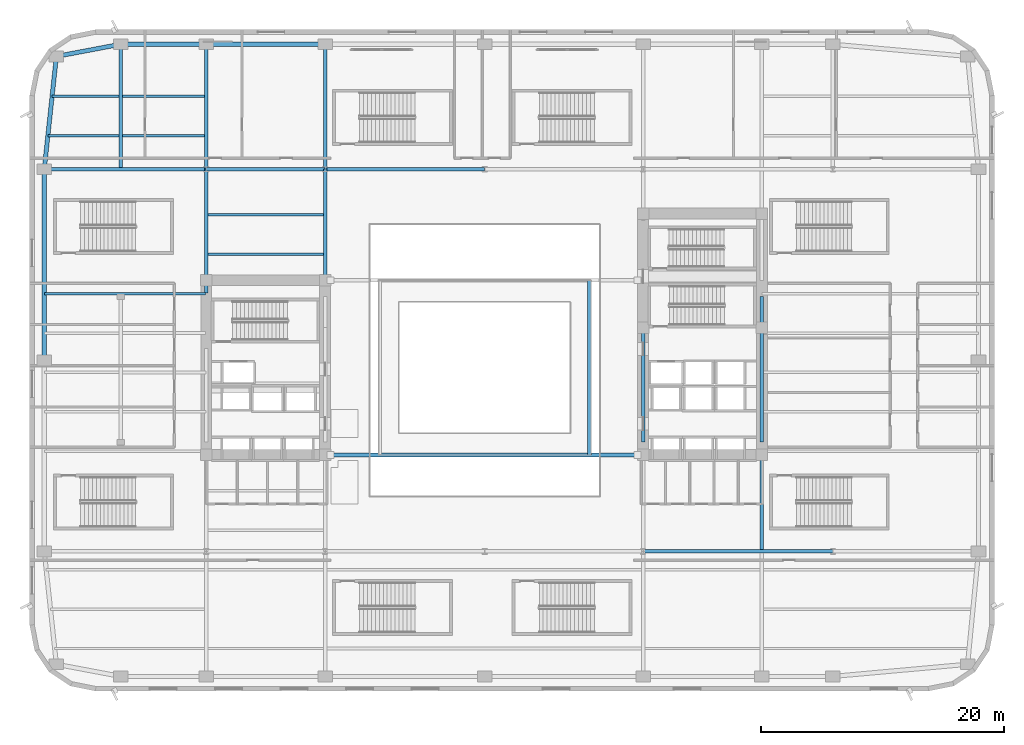
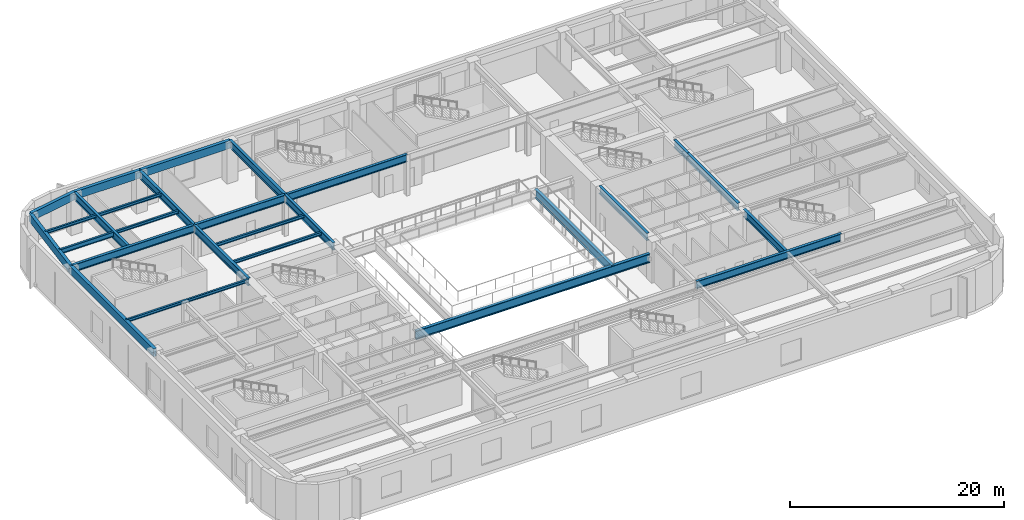
# One storey, part 2 of 21: 27 beams.
"""IFC4 building model written with IfcOpenShell, lengths in metres."""

from ifc_helpers import new_model, si_unit, direction, frame, origin, origin_2d, place, context, subcontext, project, spatial, hollow_rectangle, i_section, extrude, material, material_profile, profile_set, type_object, element, save


model = new_model("IFC4")

# Units and contexts
model_context = context("Model", 3, precision=1e-05, world=origin(), true_north=direction((0.0, 1.0)))
body_context = subcontext(model_context, "Body", "Model", "MODEL_VIEW")
ifc_project = project(units=[si_unit("LENGTHUNIT", "METRE"), si_unit("AREAUNIT", "SQUARE_METRE"), si_unit("VOLUMEUNIT", "CUBIC_METRE"), si_unit("PLANEANGLEUNIT", "RADIAN"), si_unit("MASSUNIT", "GRAM", prefix="KILO")], contexts=[model_context])

# Site, building, storey
site_placement = place(None, origin())
site = spatial("IfcSite", under=ifc_project, at=site_placement, CompositionType="ELEMENT")
building_placement = place(site_placement, origin())
building = spatial("IfcBuilding", under=site, at=building_placement, Name="Kolvaren Arena Tower", CompositionType="ELEMENT")
storey_placement = place(building_placement, frame((0.0, 0.0, 18.0)))
storey = spatial("IfcBuildingStorey", under=building, at=storey_placement, Name="L03", CompositionType="ELEMENT", Elevation=18.0)

# Beams
ifc_material_1 = material(Name="Steel CSA G40.21 350W", Category="steel")
ifc_material_profile_1 = material_profile(ifc_material_1, i_section(OverallWidth=0.2119140625, OverallDepth=0.54296875, WebThickness=0.01318359375, FlangeThickness=0.0244140625, FilletRadius=0.013916015625, at=origin_2d()), Name="W530x150")
ifc_profile_set_1 = profile_set([ifc_material_profile_1], Name="Steel CSA G40.21 350W")
beam_type_1 = type_object("IfcBeamType", Name="BEAM-F1", PredefinedType="BEAM", material=ifc_profile_set_1)
beam_1_placement = place(storey_placement, frame((1.49560546875, 45.75, 4.37841796875), z_axis=(1.0, 0.0, 0.0), x_axis=(0.0, 1.0, 0.0)))
element("IfcBeam", 1, at=beam_1_placement, inside=storey, type_object=beam_type_1, Name="Composite Floor Beam (L03)", PredefinedType="BEAM", context=body_context, shape_type="SweptSolid", body=[
    extrude(i_section(OverallWidth=0.2119140625, OverallDepth=0.54296875, WebThickness=0.01318359375, FlangeThickness=0.0244140625, FilletRadius=0.013916015625, at=origin_2d()), origin(), (0.0, 0.0, 1.0), 5.8583984375),
])
ifc_material_profile_2 = material_profile(ifc_material_1, i_section(OverallWidth=0.2919921875, OverallDepth=0.85498046875, WebThickness=0.02099609375, FlangeThickness=0.03564453125, FilletRadius=0.01806640625, at=origin_2d()), Name="W840x299")
ifc_profile_set_2 = profile_set([ifc_material_profile_2], Name="Steel CSA G40.21 350W")
beam_type_2 = type_object("IfcBeamType", Name="GIRD-P1", PredefinedType="BEAM", material=ifc_profile_set_2)
beam_2_placement = place(storey_placement, frame((50.550048828125, 11.5, 4.222412109375), z_axis=(1.0, 0.0, 0.0), x_axis=(0.0, 1.0, 0.0)))
element("IfcBeam", 2, at=beam_2_placement, inside=storey, type_object=beam_type_2, Name="Primary Floor Girder (L03)", PredefinedType="BEAM", context=body_context, shape_type="SweptSolid", body=[
    extrude(i_section(OverallWidth=0.2919921875, OverallDepth=0.85498046875, WebThickness=0.02099609375, FlangeThickness=0.03564453125, FilletRadius=0.01806640625, at=origin_2d()), origin(), (0.0, 0.0, 1.0), 15.64990234375),
])
beam_3_placement = place(storey_placement, frame((1.199951171875, 43.0, 4.222412109375), z_axis=(1.0, 0.0, 0.0), x_axis=(0.0, 1.0, 0.0)))
element("IfcBeam", 3, at=beam_3_placement, inside=storey, type_object=beam_type_2, Name="Primary Floor Girder (L03)", PredefinedType="BEAM", context=body_context, shape_type="SweptSolid", body=[
    extrude(i_section(OverallWidth=0.2919921875, OverallDepth=0.85498046875, WebThickness=0.02099609375, FlangeThickness=0.03564453125, FilletRadius=0.01806640625, at=origin_2d()), origin(), (0.0, 0.0, 1.0), 13.35009765625),
])
beam_4_placement = place(storey_placement, frame((14.550048828125, 43.0, 4.222412109375), z_axis=(1.0, 0.0, 0.0), x_axis=(0.0, 1.0, 0.0)))
element("IfcBeam", 4, at=beam_4_placement, inside=storey, type_object=beam_type_2, Name="Primary Floor Girder (L03)", PredefinedType="BEAM", context=body_context, shape_type="SweptSolid", body=[
    extrude(i_section(OverallWidth=0.2919921875, OverallDepth=0.85498046875, WebThickness=0.02099609375, FlangeThickness=0.03564453125, FilletRadius=0.01806640625, at=origin_2d()), origin(), (0.0, 0.0, 1.0), 9.800048828125),
])
beam_5_placement = place(storey_placement, frame((24.35009765625, 43.0, 4.222412109375), z_axis=(1.0, 0.0, 0.0), x_axis=(0.0, 1.0, 0.0)))
element("IfcBeam", 5, at=beam_5_placement, inside=storey, type_object=beam_type_2, Name="Primary Floor Girder (L03)", PredefinedType="BEAM", context=body_context, shape_type="SweptSolid", body=[
    extrude(i_section(OverallWidth=0.2919921875, OverallDepth=0.85498046875, WebThickness=0.02099609375, FlangeThickness=0.03564453125, FilletRadius=0.01806640625, at=origin_2d()), origin(), (0.0, 0.0, 1.0), 13.14990234375),
])
beam_6_placement = place(storey_placement, frame((7.5, 43.14599609375, 4.222412109375), z_axis=(0.0, 1.0, 0.0), x_axis=(-1.0, 0.0, 0.0)))
element("IfcBeam", 6, at=beam_6_placement, inside=storey, type_object=beam_type_2, Name="Primary Floor Girder (L03)", PredefinedType="BEAM", context=body_context, shape_type="SweptSolid", body=[
    extrude(i_section(OverallWidth=0.2919921875, OverallDepth=0.85498046875, WebThickness=0.02099609375, FlangeThickness=0.03564453125, FilletRadius=0.01806640625, at=origin_2d()), origin(), (0.0, 0.0, 1.0), 10.154052734375),
])
beam_7_placement = place(storey_placement, frame((14.550048828125, 32.7900390625, 4.222412109375), z_axis=(0.0, 1.0, 0.0), x_axis=(-1.0, 0.0, 0.0)))
element("IfcBeam", 7, at=beam_7_placement, inside=storey, type_object=beam_type_2, Name="Primary Floor Girder (L03)", PredefinedType="BEAM", context=body_context, shape_type="SweptSolid", body=[
    extrude(i_section(OverallWidth=0.2919921875, OverallDepth=0.85498046875, WebThickness=0.02099609375, FlangeThickness=0.03564453125, FilletRadius=0.01806640625, at=origin_2d()), origin(), (0.0, 0.0, 1.0), 10.2099609375),
])
beam_8_placement = place(storey_placement, frame((14.550048828125, 43.0, 4.222412109375), z_axis=(0.0, 1.0, 0.0), x_axis=(-1.0, 0.0, 0.0)))
element("IfcBeam", 8, at=beam_8_placement, inside=storey, type_object=beam_type_2, Name="Primary Floor Girder (L03)", PredefinedType="BEAM", context=body_context, shape_type="SweptSolid", body=[
    extrude(i_section(OverallWidth=0.2919921875, OverallDepth=0.85498046875, WebThickness=0.02099609375, FlangeThickness=0.03564453125, FilletRadius=0.01806640625, at=origin_2d()), origin(), (0.0, 0.0, 1.0), 10.300048828125),
])
beam_9_placement = place(storey_placement, frame((24.35009765625, 33.85009765625, 4.222412109375), z_axis=(0.0, 1.0, 0.0), x_axis=(-1.0, 0.0, 0.0)))
element("IfcBeam", 9, at=beam_9_placement, inside=storey, type_object=beam_type_2, Name="Primary Floor Girder (L03)", PredefinedType="BEAM", context=body_context, shape_type="SweptSolid", body=[
    extrude(i_section(OverallWidth=0.2919921875, OverallDepth=0.85498046875, WebThickness=0.02099609375, FlangeThickness=0.03564453125, FilletRadius=0.01806640625, at=origin_2d()), origin(), (0.0, 0.0, 1.0), 9.14990234375),
])
beam_10_placement = place(storey_placement, frame((24.35009765625, 43.0, 4.222412109375), z_axis=(0.0, 1.0, 0.0), x_axis=(-1.0, 0.0, 0.0)))
element("IfcBeam", 10, at=beam_10_placement, inside=storey, type_object=beam_type_2, Name="Primary Floor Girder (L03)", PredefinedType="BEAM", context=body_context, shape_type="SweptSolid", body=[
    extrude(i_section(OverallWidth=0.2919921875, OverallDepth=0.85498046875, WebThickness=0.02099609375, FlangeThickness=0.03564453125, FilletRadius=0.01806640625, at=origin_2d()), origin(), (0.0, 0.0, 1.0), 10.300048828125),
])
beam_11_placement = place(storey_placement, frame((50.550048828125, 20.5, 4.222412109375), z_axis=(0.0, 1.0, 0.0), x_axis=(-1.0, 0.0, 0.0)))
element("IfcBeam", 11, at=beam_11_placement, inside=storey, type_object=beam_type_2, Name="Primary Floor Girder (L03)", PredefinedType="BEAM", context=body_context, shape_type="SweptSolid", body=[
    extrude(i_section(OverallWidth=0.2919921875, OverallDepth=0.85498046875, WebThickness=0.02099609375, FlangeThickness=0.03564453125, FilletRadius=0.01806640625, at=origin_2d()), origin(), (0.0, 0.0, 1.0), 8.989990234375),
])
beam_12_placement = place(storey_placement, frame((60.35009765625, 11.64599609375, 4.222412109375), z_axis=(0.0, 1.0, 0.0), x_axis=(-1.0, 0.0, 0.0)))
element("IfcBeam", 12, at=beam_12_placement, inside=storey, type_object=beam_type_2, Name="Primary Floor Girder (L03)", PredefinedType="BEAM", context=body_context, shape_type="SweptSolid", body=[
    extrude(i_section(OverallWidth=0.2919921875, OverallDepth=0.85498046875, WebThickness=0.02099609375, FlangeThickness=0.03564453125, FilletRadius=0.01806640625, at=origin_2d()), origin(), (0.0, 0.0, 1.0), 7.803955078125),
])
beam_13_placement = place(storey_placement, frame((60.35009765625, 20.5, 4.222412109375), z_axis=(0.0, 1.0, 0.0), x_axis=(-1.0, 0.0, 0.0)))
element("IfcBeam", 13, at=beam_13_placement, inside=storey, type_object=beam_type_2, Name="Primary Floor Girder (L03)", PredefinedType="BEAM", context=body_context, shape_type="SweptSolid", body=[
    extrude(i_section(OverallWidth=0.2919921875, OverallDepth=0.85498046875, WebThickness=0.02099609375, FlangeThickness=0.03564453125, FilletRadius=0.01806640625, at=origin_2d()), origin(), (0.0, 0.0, 1.0), 9.449951171875),
])
beam_14_placement = place(storey_placement, frame((60.35009765625, 29.949951171875, 4.222412109375), z_axis=(0.0, 1.0, 0.0), x_axis=(-1.0, 0.0, 0.0)))
element("IfcBeam", 14, at=beam_14_placement, inside=storey, type_object=beam_type_2, Name="Primary Floor Girder (L03)", PredefinedType="BEAM", context=body_context, shape_type="SweptSolid", body=[
    extrude(i_section(OverallWidth=0.2919921875, OverallDepth=0.85498046875, WebThickness=0.02099609375, FlangeThickness=0.03564453125, FilletRadius=0.01806640625, at=origin_2d()), origin(), (0.0, 0.0, 1.0), 2.550048828125),
])
ifc_material_profile_3 = material_profile(ifc_material_1, i_section(OverallWidth=0.202880859375, OverallDepth=0.346923828125, WebThickness=0.0078125, FlangeThickness=0.013427734375, FilletRadius=0.010986328125, at=origin_2d()), Name="W360x64")
ifc_profile_set_3 = profile_set([ifc_material_profile_3], Name="Steel CSA G40.21 350W")
beam_type_3 = type_object("IfcBeamType", Name="JOIST-01", PredefinedType="JOIST", material=ifc_profile_set_3)
beam_15_placement = place(storey_placement, frame((1.199951171875, 32.75, 4.4765625), z_axis=(1.0, 0.0, 0.0), x_axis=(0.0, 1.0, 0.0)))
element("IfcBeam", 15, at=beam_15_placement, inside=storey, type_object=beam_type_3, Name="Composite Floor Joist (L03)", PredefinedType="JOIST", context=body_context, shape_type="SweptSolid", body=[
    extrude(i_section(OverallWidth=0.202880859375, OverallDepth=0.346923828125, WebThickness=0.0078125, FlangeThickness=0.013427734375, FilletRadius=0.010986328125, at=origin_2d()), origin(), (0.0, 0.0, 1.0), 13.280029296875),
])
for number, where, z_axis, x_axis, name in (
    (16, (14.696044921875, 36.0, 4.4765625), (1.0, 0.0, 0.0), (0.0, 1.0, 0.0), "Composite Floor Joist (L03)"),
    (17, (14.696044921875, 39.25, 4.4765625), (1.0, 0.0, 0.0), (0.0, 1.0, 0.0), "Composite Floor Joist (L03)"),
):
    element("IfcBeam", number, at=place(storey_placement, frame(where, z_axis=z_axis, x_axis=x_axis)), inside=storey, type_object=beam_type_3, Name=name, PredefinedType="JOIST", context=body_context, shape_type="SweptSolid", body=[
        extrude(i_section(OverallWidth=0.202880859375, OverallDepth=0.346923828125, WebThickness=0.0078125, FlangeThickness=0.013427734375, FilletRadius=0.010986328125, at=origin_2d()), origin(), (0.0, 0.0, 1.0), 9.508056640625),
    ])
beam_16_placement = place(storey_placement, frame((7.64599609375, 45.75, 4.4765625), z_axis=(1.0, 0.0, 0.0), x_axis=(0.0, 1.0, 0.0)))
element("IfcBeam", 18, at=beam_16_placement, inside=storey, type_object=beam_type_3, Name="Composite Floor Joist (L03)", PredefinedType="JOIST", context=body_context, shape_type="SweptSolid", body=[
    extrude(i_section(OverallWidth=0.202880859375, OverallDepth=0.346923828125, WebThickness=0.0078125, FlangeThickness=0.013427734375, FilletRadius=0.010986328125, at=origin_2d()), origin(), (0.0, 0.0, 1.0), 6.758056640625),
])
beam_17_placement = place(storey_placement, frame((1.84521484375, 49.0, 4.4765625), z_axis=(1.0, 0.0, 0.0), x_axis=(0.0, 1.0, 0.0)))
element("IfcBeam", 19, at=beam_17_placement, inside=storey, type_object=beam_type_3, Name="Composite Floor Joist (L03)", PredefinedType="JOIST", context=body_context, shape_type="SweptSolid", body=[
    extrude(i_section(OverallWidth=0.202880859375, OverallDepth=0.346923828125, WebThickness=0.0078125, FlangeThickness=0.013427734375, FilletRadius=0.010986328125, at=origin_2d()), origin(), (0.0, 0.0, 1.0), 5.5087890625),
])
beam_18_placement = place(storey_placement, frame((7.64599609375, 49.0, 4.4765625), z_axis=(1.0, 0.0, 0.0), x_axis=(0.0, 1.0, 0.0)))
element("IfcBeam", 20, at=beam_18_placement, inside=storey, type_object=beam_type_3, Name="Composite Floor Joist (L03)", PredefinedType="JOIST", context=body_context, shape_type="SweptSolid", body=[
    extrude(i_section(OverallWidth=0.202880859375, OverallDepth=0.346923828125, WebThickness=0.0078125, FlangeThickness=0.013427734375, FilletRadius=0.010986328125, at=origin_2d()), origin(), (0.0, 0.0, 1.0), 6.758056640625),
])
ifc_material_profile_4 = material_profile(ifc_material_1, i_section(OverallWidth=0.323974609375, OverallDepth=1.011962890625, WebThickness=0.02685546875, FlangeThickness=0.0458984375, FilletRadius=0.02197265625, at=origin_2d()), Name="W1000x443")
ifc_profile_set_4 = profile_set([ifc_material_profile_4], Name="Steel CSA G40.21 350W")
beam_type_4 = type_object("IfcBeamType", Name="RAKER-01", PredefinedType="USERDEFINED", material=ifc_profile_set_4)
beam_19_placement = place(storey_placement, frame((24.800048828125, 19.449951171875, 2.68408203125), z_axis=(1.0, 0.0, 0.0), x_axis=(0.0, 1.0, 0.0)))
element("IfcBeam", 21, at=beam_19_placement, inside=storey, type_object=beam_type_4, Name="Arena Bowl Raker Girder (L03 S)", ObjectType="RAKER GIRDER", PredefinedType="USERDEFINED", context=body_context, shape_type="SweptSolid", body=[
    extrude(i_section(OverallWidth=0.323974609375, OverallDepth=1.011962890625, WebThickness=0.02685546875, FlangeThickness=0.0458984375, FilletRadius=0.02197265625, at=origin_2d()), origin(), (0.0, 0.0, 1.0), 25.300048828125),
])
beam_20_placement = place(storey_placement, frame((46.14990234375, 19.449951171875, 2.68408203125), z_axis=(0.0, 1.0, 0.0), x_axis=(-1.0, 0.0, 0.0)))
element("IfcBeam", 22, at=beam_20_placement, inside=storey, type_object=beam_type_4, Name="Arena Bowl Raker Girder (L03 E)", ObjectType="RAKER GIRDER", PredefinedType="USERDEFINED", context=body_context, shape_type="SweptSolid", body=[
    extrude(i_section(OverallWidth=0.323974609375, OverallDepth=1.011962890625, WebThickness=0.02685546875, FlangeThickness=0.0458984375, FilletRadius=0.02197265625, at=origin_2d()), origin(), (0.0, 0.0, 1.0), 14.400146484375),
])
ifc_material_2 = material(Name="Steel CSA G40.21 350WT", Category="steel")
ifc_material_profile_5 = material_profile(ifc_material_2, hollow_rectangle(XDim=0.35009765625, YDim=0.89990234375, WallThickness=0.02001953125, at=origin_2d()), Name="HSS 900x350x20")
ifc_profile_set_5 = profile_set([ifc_material_profile_5], Name="Steel CSA G40.21 350WT")
beam_type_5 = type_object("IfcBeamType", Name="SPAND-01", PredefinedType="SPANDREL", material=ifc_profile_set_5)
beam_21_placement = place(storey_placement, frame((24.35009765625, 53.300048828125, 4.199951171875), z_axis=(-1.0, 0.0, 0.0), x_axis=(0.0, -1.0, 0.0)))
element("IfcBeam", 23, at=beam_21_placement, inside=storey, type_object=beam_type_5, Name="Perimeter Spandrel Beam (L03)", PredefinedType="SPANDREL", context=body_context, shape_type="SweptSolid", body=[
    extrude(hollow_rectangle(XDim=0.35009765625, YDim=0.89990234375, WallThickness=0.02001953125, at=origin_2d()), origin(), (0.0, 0.0, 1.0), 9.800048828125),
])
beam_22_placement = place(storey_placement, frame((14.550048828125, 53.300048828125, 4.199951171875), z_axis=(-1.0, 0.0, 0.0), x_axis=(0.0, -1.0, 0.0)))
element("IfcBeam", 24, at=beam_22_placement, inside=storey, type_object=beam_type_5, Name="Perimeter Spandrel Beam (L03)", PredefinedType="SPANDREL", context=body_context, shape_type="SweptSolid", body=[
    extrude(hollow_rectangle(XDim=0.35009765625, YDim=0.89990234375, WallThickness=0.02001953125, at=origin_2d()), origin(), (0.0, 0.0, 1.0), 7.050048828125),
])
beam_23_placement = place(storey_placement, frame((7.5, 53.300048828125, 4.199951171875), z_axis=(-0.982661964955, -0.185406209796, 0.0), x_axis=(0.185406209796, -0.982661964955, 0.0)))
element("IfcBeam", 25, at=beam_23_placement, inside=storey, type_object=beam_type_5, Name="Perimeter Spandrel Beam (L03)", PredefinedType="SPANDREL", context=body_context, shape_type="SweptSolid", body=[
    extrude(hollow_rectangle(XDim=0.35009765625, YDim=0.89990234375, WallThickness=0.02001953125, at=origin_2d()), origin(), (0.0, 0.0, 1.0), 5.3935546875),
])
beam_24_placement = place(storey_placement, frame((2.199951171875, 52.300048828125, 4.199951171875), z_axis=(-0.106910051219, -0.994268696555, 0.0), x_axis=(0.994268696555, -0.106910051219, 0.0)))
element("IfcBeam", 26, at=beam_24_placement, inside=storey, type_object=beam_type_5, Name="Perimeter Spandrel Beam (L03)", PredefinedType="SPANDREL", context=body_context, shape_type="SweptSolid", body=[
    extrude(hollow_rectangle(XDim=0.35009765625, YDim=0.89990234375, WallThickness=0.02001953125, at=origin_2d()), origin(), (0.0, 0.0, 1.0), 9.353759765625),
])
beam_25_placement = place(storey_placement, frame((1.199951171875, 43.0, 4.199951171875), z_axis=(0.0, -1.0, 0.0), x_axis=(1.0, 0.0, 0.0)))
element("IfcBeam", 27, at=beam_25_placement, inside=storey, type_object=beam_type_5, Name="Perimeter Spandrel Beam (L03)", PredefinedType="SPANDREL", context=body_context, shape_type="SweptSolid", body=[
    extrude(hollow_rectangle(XDim=0.35009765625, YDim=0.89990234375, WallThickness=0.02001953125, at=origin_2d()), origin(), (0.0, 0.0, 1.0), 15.75),
])

save(model, "model.ifc")
